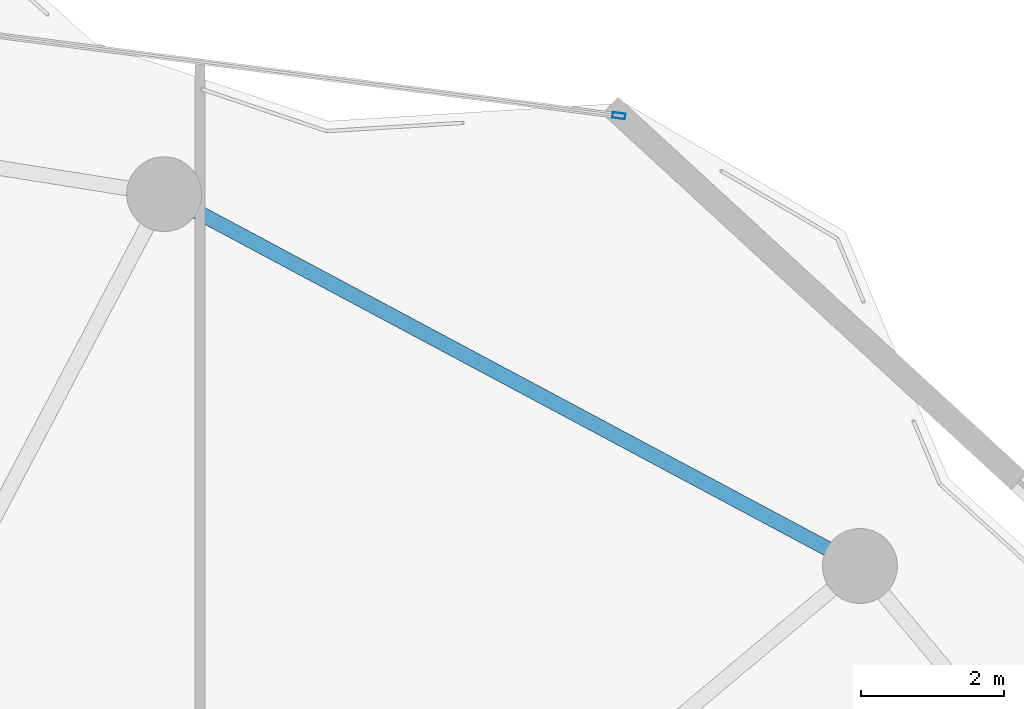
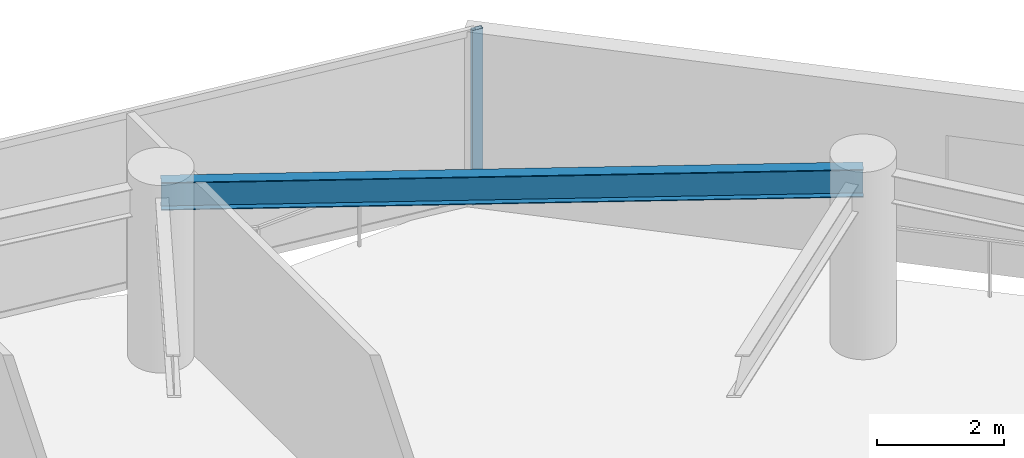
# One storey, part 23 of 30: 1 beam, 1 member, 1 element without a shape of its own.
"""IFC4 building model written with IfcOpenShell, lengths in metres."""

from ifc_helpers import new_model, si_unit, direction, frame, origin, origin_2d, place, context, subcontext, project, spatial, hollow_rectangle, i_section, extrude, material, layer, layer_set, material_profile, profile_set, type_object, element, aggregate, save


model = new_model("IFC4")

# Units and contexts
model_context = context("Model", 3, precision=1e-05, world=origin(), true_north=direction((0.0, 1.0)))
body_context = subcontext(model_context, "Body", "Model", "MODEL_VIEW")
ifc_project = project(units=[si_unit("LENGTHUNIT", "METRE"), si_unit("AREAUNIT", "SQUARE_METRE"), si_unit("VOLUMEUNIT", "CUBIC_METRE"), si_unit("PLANEANGLEUNIT", "RADIAN"), si_unit("MASSUNIT", "GRAM", prefix="KILO")], contexts=[model_context])

# Site, building, storey
site_placement = place(None, origin())
site = spatial("IfcSite", under=ifc_project, at=site_placement, CompositionType="ELEMENT")
building_placement = place(site_placement, origin())
building = spatial("IfcBuilding", under=site, at=building_placement, Name="Kazevale Care Tower and Concert Hall", CompositionType="ELEMENT")
storey_placement = place(building_placement, frame((0.0, 0.0, 242.39990234375)))
storey = spatial("IfcBuildingStorey", under=building, at=storey_placement, Name="L64", CompositionType="ELEMENT", Elevation=242.39990234375)

# Curtain wall, member
ifc_material_1 = material(Name="Aluminium 6063-T6 and Low-E Glass", Category="aluminium")
ifc_layer = layer(ifc_material_1, 0.179931640625)
ifc_layer_set = layer_set([ifc_layer], Name="Aluminium 6063-T6 and Low-E Glass")
curtain_wall_type = type_object("IfcCurtainWallType", Name="Waist & Upper Residential Curtain Wall CW-4", PredefinedType="NOTDEFINED", material=ifc_layer_set)
curtain_wall_placement = place(storey_placement, origin())
curtain_wall = element("IfcCurtainWall", 1, at=curtain_wall_placement, inside=storey, type_object=curtain_wall_type, Name="cw:L64:f16", PredefinedType="NOTDEFINED")
ifc_material_2 = material(Name="Aluminium 6063-T6", Category="aluminium")
ifc_material_profile_1 = material_profile(ifc_material_2, hollow_rectangle(XDim=0.080078125, YDim=0.179931640625, WallThickness=0.0048828125, at=origin_2d()), Name="ALU80x180x5")
ifc_profile_set_1 = profile_set([ifc_material_profile_1], Name="Aluminium 6063-T6")
member_type = type_object("IfcMemberType", Name="CW-4 Mullion ALU80x180x5", PredefinedType="MULLION", material=ifc_profile_set_1)
member_placement = place(storey_placement, frame((62.873291015625, 61.319091796875, 0.0), z_axis=(0.0, 0.0, 1.0), x_axis=(0.128098132904, 0.991761497713, 0.0)))
member = element("IfcMember", 2, at=member_placement, type_object=member_type, Name="CW-4 mullion 2", PredefinedType="MULLION", context=body_context, shape_type="SweptSolid", body=[
    extrude(hollow_rectangle(XDim=0.080078125, YDim=0.179931640625, WallThickness=0.0048828125, at=origin_2d()), origin(), (0.0, 0.0, 1.0), 3.360107421875),
])
aggregate(curtain_wall, [member])

# Beam
ifc_material_3 = material(Name="Steel ASTM A572 Gr 50", Category="steel")
ifc_material_profile_2 = material_profile(ifc_material_3, i_section(OverallWidth=0.208984375, OverallDepth=0.532958984375, WebThickness=0.01025390625, FlangeThickness=0.015625, at=origin_2d()), Name="W530x92")
ifc_profile_set_2 = profile_set([ifc_material_profile_2], Name="Steel ASTM A572 Gr 50")
beam_type = type_object("IfcBeamType", Name="Upper Ring Beam W530x92", PredefinedType="BEAM", material=ifc_profile_set_2)
beam_placement = place(storey_placement, frame((66.25, 55.010009765625, 3.093505859375), z_axis=(-0.881978519833, 0.471289603697, 0.0), x_axis=(-0.471289603697, -0.881978519833, 0.0)))
element("IfcBeam", 3, at=beam_placement, inside=storey, type_object=beam_type, Name="beam:L64:ring:03", PredefinedType="BEAM", context=body_context, shape_type="SweptSolid", body=[
    extrude(i_section(OverallWidth=0.208984375, OverallDepth=0.532958984375, WebThickness=0.01025390625, FlangeThickness=0.015625, at=origin_2d()), origin(), (0.0, 0.0, 1.0), 11.0546875),
])

save(model, "model.ifc")
